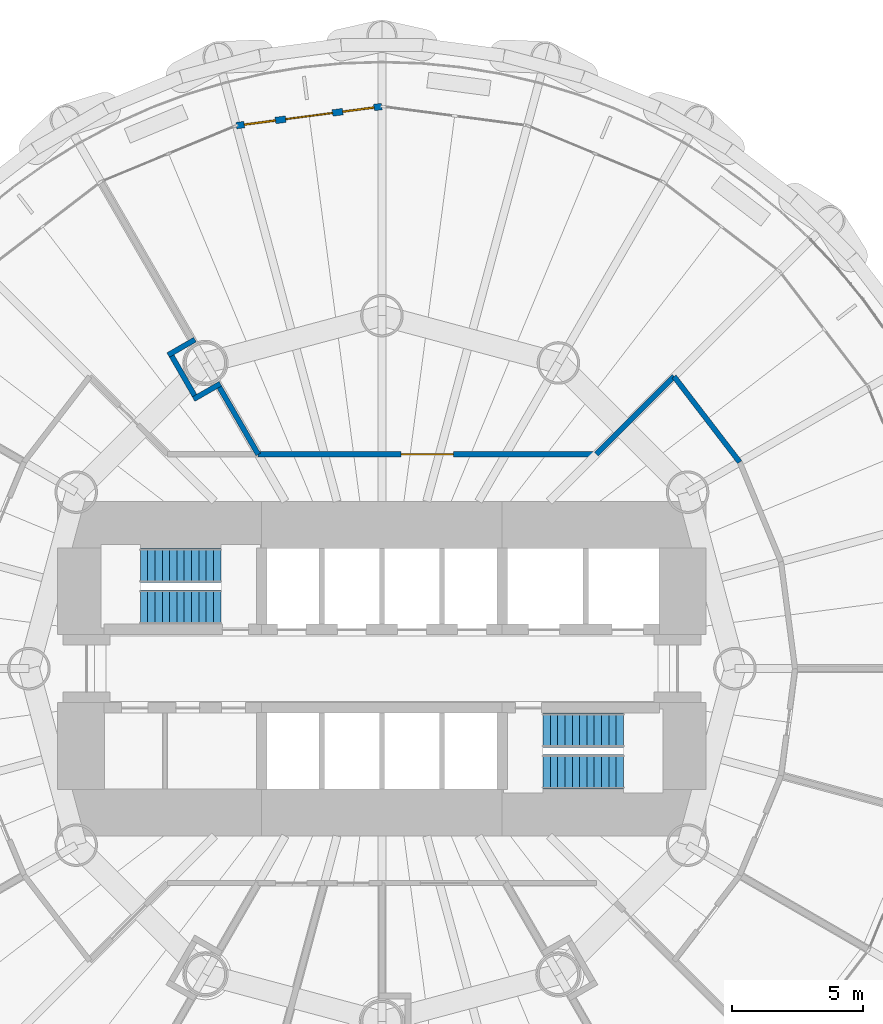
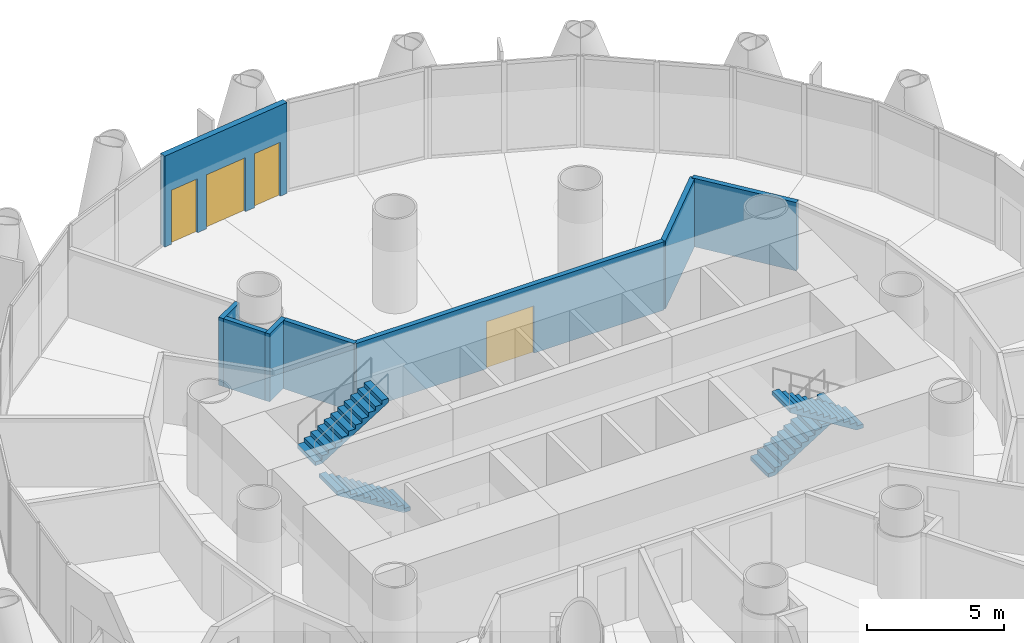
# One storey, part 12 of 16: 8 walls, 4 stair flights, 2 doors, 2 windows, 4 openings, 2 elements without a shape of their own.
"""IFC4 building model written with IfcOpenShell, lengths in metres."""

from ifc_helpers import new_model, si_unit, direction, frame, frame_2d, origin, place, context, subcontext, project, spatial, polyline, rectangle, outline, extrude, material, layer, layer_set, type_object, element, fill, aggregate, save


model = new_model("IFC4")

# Units and contexts
model_context = context("Model", 3, precision=1e-05, world=origin(), true_north=direction((0.0, 1.0)))
body_context = subcontext(model_context, "Body", "Model", "MODEL_VIEW")
ifc_project = project(units=[si_unit("LENGTHUNIT", "METRE"), si_unit("AREAUNIT", "SQUARE_METRE"), si_unit("VOLUMEUNIT", "CUBIC_METRE"), si_unit("PLANEANGLEUNIT", "RADIAN"), si_unit("MASSUNIT", "GRAM", prefix="KILO")], contexts=[model_context])

# Site, building, storey
site_placement = place(None, origin())
site = spatial("IfcSite", under=ifc_project, at=site_placement, CompositionType="ELEMENT")
building_placement = place(site_placement, origin())
building = spatial("IfcBuilding", under=site, at=building_placement, Name="Qaws Media Tower", CompositionType="ELEMENT")
storey_placement = place(building_placement, frame((0.0, 0.0, 38.60009765625)))
storey = spatial("IfcBuildingStorey", under=building, at=storey_placement, Name="L07", CompositionType="ELEMENT", Elevation=38.60009765625)

# Wall, openings, door, windows
ifc_material_1 = material(Name="Precast concrete, exposed finish", Category="concrete")
ifc_layer_1 = layer(ifc_material_1, 0.25)
ifc_layer_set_1 = layer_set([ifc_layer_1], Name="Balcony door wall 250")
wall_type_1 = type_object("IfcWallType", Name="Balcony door wall 250", PredefinedType="SOLIDWALL", material=ifc_layer_set_1)
wall_1_placement = place(storey_placement, frame((60.0, 71.5, 0.0), z_axis=(0.0, 0.0, 1.0), x_axis=(-0.991443484334, -0.130536651449, 0.0)))
wall_1 = element("IfcWall", 1, at=wall_1_placement, inside=storey, type_object=wall_type_1, Name="W119 EW1 balcony door wall L07-07", PredefinedType="SOLIDWALL", context=body_context, shape_type="SweptSolid", body=[
    extrude(rectangle(XDim=5.61279296875, YDim=0.25, at=frame_2d((2.806396484375, 0.0))), origin(), (0.0, 0.0, 1.0), 4.039794921875),
])
opening_1_placement = place(wall_1_placement, frame((1.90625, 0.0, 0.0)))
opening_1 = element("IfcOpeningElement", 2, at=opening_1_placement, cuts=wall_1, Name="Opening D7", PredefinedType="OPENING", context=body_context, shape_type="SweptSolid", body=[
    extrude(rectangle(XDim=1.800048828125, YDim=2.39990234375, at=frame_2d((0.89990234375, 1.199951171875))), frame((0.0, 0.135009765625, 0.0), z_axis=(0.0, -1.0, 0.0), x_axis=(1.0, 0.0, 0.0)), (0.0, 0.0, 1.0), 0.27001953125),
])
opening_2_placement = place(wall_1_placement, frame((0.306396484375, 0.0, 0.0)))
opening_2 = element("IfcOpeningElement", 3, at=opening_2_placement, cuts=wall_1, Name="Opening W1", PredefinedType="OPENING", context=body_context, shape_type="SweptSolid", body=[
    extrude(rectangle(XDim=1.199951171875, YDim=2.39990234375, at=frame_2d((0.60009765625, 1.199951171875))), frame((0.0, 0.135009765625, 0.0), z_axis=(0.0, -1.0, 0.0), x_axis=(1.0, 0.0, 0.0)), (0.0, 0.0, 1.0), 0.27001953125),
])
opening_3_placement = place(wall_1_placement, frame((4.106201171875, 0.0, 0.0)))
opening_3 = element("IfcOpeningElement", 4, at=opening_3_placement, cuts=wall_1, Name="Opening W1", PredefinedType="OPENING", context=body_context, shape_type="SweptSolid", body=[
    extrude(rectangle(XDim=1.199951171875, YDim=2.39990234375, at=frame_2d((0.60009765625, 1.199951171875))), frame((0.0, 0.135009765625, 0.0), z_axis=(0.0, -1.0, 0.0), x_axis=(1.0, 0.0, 0.0)), (0.0, 0.0, 1.0), 0.27001953125),
])
ifc_material_2 = material(Name="Aluminium and clear glass", Category="aluminium")
door_type_1 = type_object("IfcDoorType", Name="Balcony door pair 1800", OperationType="DOUBLE_DOOR_SLIDING", PredefinedType="DOOR", material=ifc_material_2)
door_1_placement = place(opening_1_placement, origin())
door_1 = element("IfcDoor", 5, at=door_1_placement, inside=storey, type_object=door_type_1, Name="D7 balcony door L07-07 in wall W119", OperationType="DOUBLE_DOOR_SLIDING", OverallHeight=2.39990234375, OverallWidth=1.800048828125, PredefinedType="DOOR", context=body_context, shape_type="SweptSolid", body=[
    extrude(rectangle(XDim=1.800048828125, YDim=2.39990234375, at=frame_2d((0.89990234375, 1.199951171875))), frame((0.0, 0.02490234375, 0.0), z_axis=(0.0, -1.0, 0.0), x_axis=(1.0, 0.0, 0.0)), (0.0, 0.0, 1.0), 0.050048828125),
])
fill(opening_1, door_1)
ifc_material_3 = material(Name="Aluminium and clear glass", Category="aluminium")
window_type = type_object("IfcWindowType", Name="Balcony side window 1200", PartitioningType="SINGLE_PANEL", PredefinedType="WINDOW", material=ifc_material_3)
window_1_placement = place(opening_2_placement, origin())
window_1 = element("IfcWindow", 6, at=window_1_placement, inside=storey, type_object=window_type, Name="W1 balcony side light L07-07L", OverallHeight=2.39990234375, OverallWidth=1.199951171875, PartitioningType="SINGLE_PANEL", PredefinedType="WINDOW", context=body_context, shape_type="SweptSolid", body=[
    extrude(rectangle(XDim=1.199951171875, YDim=2.39990234375, at=frame_2d((0.60009765625, 1.199951171875))), frame((0.0, 0.030029296875, 0.0), z_axis=(0.0, -1.0, 0.0), x_axis=(1.0, 0.0, 0.0)), (0.0, 0.0, 1.0), 0.06005859375),
])
fill(opening_2, window_1)
window_2_placement = place(opening_3_placement, origin())
window_2 = element("IfcWindow", 7, at=window_2_placement, inside=storey, type_object=window_type, Name="W1 balcony side light L07-07R", OverallHeight=2.39990234375, OverallWidth=1.199951171875, PartitioningType="SINGLE_PANEL", PredefinedType="WINDOW", context=body_context, shape_type="SweptSolid", body=[
    extrude(rectangle(XDim=1.199951171875, YDim=2.39990234375, at=frame_2d((0.60009765625, 1.199951171875))), frame((0.0, 0.030029296875, 0.0), z_axis=(0.0, -1.0, 0.0), x_axis=(1.0, 0.0, 0.0)), (0.0, 0.0, 1.0), 0.06005859375),
])
fill(opening_3, window_2)

# Wall, opening, door
ifc_material_4 = material(Name="Gypsum board on galvanised metal studs, acoustic double stud, deflection head", Category="gypsum")
ifc_layer_2 = layer(ifc_material_4, 0.199951171875)
ifc_layer_set_2 = layer_set([ifc_layer_2], Name="Room partition 200")
wall_type_2 = type_object("IfcWallType", Name="Room partition 200", PredefinedType="PARTITIONING", material=ifc_layer_set_2)
wall_2_placement = place(storey_placement, frame((55.265625, 58.199951171875, 0.0), z_axis=(0.0, 0.0, 1.0), x_axis=(1.0, 0.0, 0.0)))
wall_2 = element("IfcWall", 8, at=wall_2_placement, inside=storey, type_object=wall_type_2, Name="W969 IW3 partition L07", PredefinedType="PARTITIONING", context=body_context, shape_type="SweptSolid", body=[
    extrude(rectangle(XDim=12.934326171875, YDim=0.199951171875, at=frame_2d((6.46728515625, 0.0))), origin(), (0.0, 0.0, 1.0), 3.039794921875),
])
opening_4_placement = place(wall_2_placement, frame((5.467041015625, 0.0, 0.0)))
opening_4 = element("IfcOpeningElement", 9, at=opening_4_placement, cuts=wall_2, Name="Opening D6", PredefinedType="OPENING", context=body_context, shape_type="SweptSolid", body=[
    extrude(rectangle(XDim=2.0, YDim=2.10009765625, at=frame_2d((1.0, 1.050048828125))), frame((0.0, 0.10986328125, 0.0), z_axis=(0.0, -1.0, 0.0), x_axis=(1.0, 0.0, 0.0)), (0.0, 0.0, 1.0), 0.219970703125),
])
ifc_material_5 = material(Name="Steel, acoustic, fire rated", Category="steel")
door_type_2 = type_object("IfcDoorType", Name="Room door pair 2000", OperationType="DOUBLE_DOOR_DOUBLE_SWING", PredefinedType="DOOR", material=ifc_material_5)
door_2_placement = place(opening_4_placement, origin())
door_2 = element("IfcDoor", 10, at=door_2_placement, inside=storey, type_object=door_type_2, Name="D6 Production office door L07 in wall W969", OperationType="DOUBLE_DOOR_DOUBLE_SWING", OverallHeight=2.10009765625, OverallWidth=2.0, PredefinedType="DOOR", context=body_context, shape_type="SweptSolid", body=[
    extrude(rectangle(XDim=2.0, YDim=2.10009765625, at=frame_2d((1.0, 1.050048828125))), frame((0.0, 0.02490234375, 0.0), z_axis=(0.0, -1.0, 0.0), x_axis=(1.0, 0.0, 0.0)), (0.0, 0.0, 1.0), 0.050048828125),
])
fill(opening_4, door_2)

# Walls
wall_3_placement = place(storey_placement, frame((68.199951171875, 58.199951171875, 0.0), z_axis=(0.0, 0.0, 1.0), x_axis=(0.707106781187, 0.707106781187, 0.0)))
element("IfcWall", 11, at=wall_3_placement, inside=storey, type_object=wall_type_2, Name="W975 IW3 partition L07", PredefinedType="PARTITIONING", context=body_context, shape_type="SweptSolid", body=[
    extrude(rectangle(XDim=4.20361328125, YDim=0.199951171875, at=frame_2d((2.101806640625, 0.0))), origin(), (0.0, 0.0, 1.0), 3.02001953125),
])
wall_4_placement = place(storey_placement, frame((71.17236328125, 61.17236328125, 0.0), z_axis=(0.0, 0.0, 1.0), x_axis=(0.608714823874, -0.793389099494, 0.0)))
element("IfcWall", 12, at=wall_4_placement, inside=storey, type_object=wall_type_2, Name="W953 IW3 partition L07", PredefinedType="PARTITIONING", context=body_context, shape_type="SweptSolid", body=[
    extrude(rectangle(XDim=4.124755859375, YDim=0.199951171875, at=frame_2d((2.0625, 0.0))), origin(), (0.0, 0.0, 1.0), 3.039794921875),
])
for number, where, z_axis, x_axis, name in (
    (13, (53.822998046875, 60.898681640625, 0.0), (0.0, 0.0, 1.0), (-0.865986234303, -0.500067837396, 0.0), "W967 IW3 partition return L07"),
    (14, (52.85009765625, 62.583984375, 0.0), (0.0, 0.0, 1.0), (-0.865986234303, -0.500067837396, 0.0), "W966 IW3 partition return L07"),
):
    element("IfcWall", number, at=place(storey_placement, frame(where, z_axis=z_axis, x_axis=x_axis)), inside=storey, type_object=wall_type_2, Name=name, PredefinedType="PARTITIONING", context=body_context, shape_type="SweptSolid", body=[
        extrude(rectangle(XDim=1.182861328125, YDim=0.199951171875, at=frame_2d((0.59130859375, 0.0))), origin(), (0.0, 0.0, 1.0), 3.02001953125),
    ])
wall_5_placement = place(storey_placement, frame((52.835205078125, 60.44384765625, 0.0), z_axis=(0.0, 0.0, 1.0), x_axis=(-0.500049268192, 0.865996956912, 0.0)))
element("IfcWall", 15, at=wall_5_placement, inside=storey, type_object=wall_type_2, Name="W965 IW3 partition return L07", PredefinedType="PARTITIONING", context=body_context, shape_type="SweptSolid", body=[
    extrude(rectangle(XDim=1.745849609375, YDim=0.199951171875, at=frame_2d((0.873046875, 0.0))), origin(), (0.0, 0.0, 1.0), 3.02001953125),
])
wall_6_placement = place(storey_placement, frame((55.27001953125, 58.192626953125, 0.0), z_axis=(0.0, 0.0, 1.0), x_axis=(-0.499962256537, 0.866047193886, 0.0)))
element("IfcWall", 16, at=wall_6_placement, inside=storey, type_object=wall_type_2, Name="W970 IW3 partition L07", PredefinedType="PARTITIONING", context=body_context, shape_type="SweptSolid", body=[
    extrude(rectangle(XDim=2.967041015625, YDim=0.199951171875, at=frame_2d((1.4833984375, 0.0))), origin(), (0.0, 0.0, 1.0), 3.039794921875),
])

# Stair, stair flights
ifc_material_6 = material(Name="Concrete C40/50", Category="concrete")
stair_type = type_object("IfcStairType", Name="Exit stair", PredefinedType="HALF_TURN_STAIR", material=ifc_material_6)
stair_1_placement = place(storey_placement, origin())
stair_1 = element("IfcStair", 17, at=stair_1_placement, inside=storey, type_object=stair_type, Name="S1 exit stair L07", PredefinedType="HALF_TURN_STAIR")
ifc_material_7 = material(Name="Concrete C40/50", Category="concrete")
stair_flight_type = type_object("IfcStairFlightType", Name="Stair flight 1310", PredefinedType="STRAIGHT", material=ifc_material_7)
stair_flight_1_placement = place(storey_placement, frame((53.840087890625, 52.35498046875, 0.0), z_axis=(0.0, 0.0, 1.0), x_axis=(-1.0, 0.0, 0.0)))
stair_flight_1 = element("IfcStairFlight", 18, at=stair_flight_1_placement, type_object=stair_flight_type, Name="S1 flight 1", NumberOfRisers=12, NumberOfTreads=11, PredefinedType="STRAIGHT", RiserHeight=0.175, TreadLength=0.28, context=body_context, shape_type="SweptSolid", body=[
    extrude(outline(polyline([(0.0, 0.0), (0.0, 0.175048828125), (0.280029296875, 0.175048828125), (0.280029296875, 0.35009765625), (0.56005859375, 0.35009765625), (0.56005859375, 0.52490234375), (0.840087890625, 0.52490234375), (0.840087890625, 0.699951171875), (1.1201171875, 0.699951171875), (1.1201171875, 0.875), (1.39990234375, 0.875), (1.39990234375, 1.050048828125), (1.679931640625, 1.050048828125), (1.679931640625, 1.22509765625), (1.9599609375, 1.22509765625), (1.9599609375, 1.39990234375), (2.239990234375, 1.39990234375), (2.239990234375, 1.574951171875), (2.52001953125, 1.574951171875), (2.52001953125, 1.75), (2.800048828125, 1.75), (2.800048828125, 1.925048828125), (3.080078125, 1.925048828125), (3.080078125, 2.10009765625), (3.080078125, 1.748291015625), (0.28271484375, 0.0), (0.0, 0.0)])), frame((0.0, 0.655029296875, 0.0), z_axis=(0.0, -1.0, 0.0), x_axis=(1.0, 0.0, 0.0)), (0.0, 0.0, 1.0), 1.31005859375),
])
stair_flight_2_placement = place(storey_placement, frame((50.760009765625, 53.945068359375, 2.099853515625), z_axis=(0.0, 0.0, 1.0), x_axis=(1.0, 0.0, 0.0)))
stair_flight_2 = element("IfcStairFlight", 19, at=stair_flight_2_placement, type_object=stair_flight_type, Name="S1 flight 2", NumberOfRisers=12, NumberOfTreads=11, PredefinedType="STRAIGHT", RiserHeight=0.175, TreadLength=0.28, context=body_context, shape_type="SweptSolid", body=[
    extrude(outline(polyline([(0.0, 0.0), (0.0, 0.175048828125), (0.280029296875, 0.175048828125), (0.280029296875, 0.35009765625), (0.56005859375, 0.35009765625), (0.56005859375, 0.52490234375), (0.840087890625, 0.52490234375), (0.840087890625, 0.699951171875), (1.1201171875, 0.699951171875), (1.1201171875, 0.875), (1.39990234375, 0.875), (1.39990234375, 1.050048828125), (1.679931640625, 1.050048828125), (1.679931640625, 1.22509765625), (1.9599609375, 1.22509765625), (1.9599609375, 1.39990234375), (2.239990234375, 1.39990234375), (2.239990234375, 1.574951171875), (2.52001953125, 1.574951171875), (2.52001953125, 1.75), (2.800048828125, 1.75), (2.800048828125, 1.925048828125), (3.080078125, 1.925048828125), (3.080078125, 2.10009765625), (3.080078125, 1.748291015625), (0.28271484375, 0.0), (0.0, 0.0)])), frame((0.0, 0.655029296875, 0.0), z_axis=(0.0, -1.0, 0.0), x_axis=(1.0, 0.0, 0.0)), (0.0, 0.0, 1.0), 1.31005859375),
])
aggregate(stair_1, [stair_flight_1, stair_flight_2])

stair_2_placement = place(storey_placement, origin())
stair_2 = element("IfcStair", 20, at=stair_2_placement, inside=storey, type_object=stair_type, Name="S2 exit stair L07", PredefinedType="HALF_TURN_STAIR")
stair_flight_3_placement = place(storey_placement, frame((66.159912109375, 47.64501953125, 0.0), z_axis=(0.0, 0.0, 1.0), x_axis=(1.0, 0.0, 0.0)))
stair_flight_3 = element("IfcStairFlight", 21, at=stair_flight_3_placement, type_object=stair_flight_type, Name="S2 flight 1", NumberOfRisers=12, NumberOfTreads=11, PredefinedType="STRAIGHT", RiserHeight=0.175, TreadLength=0.28, context=body_context, shape_type="SweptSolid", body=[
    extrude(outline(polyline([(0.0, 0.0), (0.0, 0.175048828125), (0.280029296875, 0.175048828125), (0.280029296875, 0.35009765625), (0.56005859375, 0.35009765625), (0.56005859375, 0.52490234375), (0.840087890625, 0.52490234375), (0.840087890625, 0.699951171875), (1.1201171875, 0.699951171875), (1.1201171875, 0.875), (1.39990234375, 0.875), (1.39990234375, 1.050048828125), (1.679931640625, 1.050048828125), (1.679931640625, 1.22509765625), (1.9599609375, 1.22509765625), (1.9599609375, 1.39990234375), (2.239990234375, 1.39990234375), (2.239990234375, 1.574951171875), (2.52001953125, 1.574951171875), (2.52001953125, 1.75), (2.800048828125, 1.75), (2.800048828125, 1.925048828125), (3.080078125, 1.925048828125), (3.080078125, 2.10009765625), (3.080078125, 1.748291015625), (0.28271484375, 0.0), (0.0, 0.0)])), frame((0.0, 0.655029296875, 0.0), z_axis=(0.0, -1.0, 0.0), x_axis=(1.0, 0.0, 0.0)), (0.0, 0.0, 1.0), 1.31005859375),
])
stair_flight_4_placement = place(storey_placement, frame((69.239990234375, 46.054931640625, 2.099853515625), z_axis=(0.0, 0.0, 1.0), x_axis=(-1.0, 0.0, 0.0)))
stair_flight_4 = element("IfcStairFlight", 22, at=stair_flight_4_placement, type_object=stair_flight_type, Name="S2 flight 2", NumberOfRisers=12, NumberOfTreads=11, PredefinedType="STRAIGHT", RiserHeight=0.175, TreadLength=0.28, context=body_context, shape_type="SweptSolid", body=[
    extrude(outline(polyline([(0.0, 0.0), (0.0, 0.175048828125), (0.280029296875, 0.175048828125), (0.280029296875, 0.35009765625), (0.56005859375, 0.35009765625), (0.56005859375, 0.52490234375), (0.840087890625, 0.52490234375), (0.840087890625, 0.699951171875), (1.1201171875, 0.699951171875), (1.1201171875, 0.875), (1.39990234375, 0.875), (1.39990234375, 1.050048828125), (1.679931640625, 1.050048828125), (1.679931640625, 1.22509765625), (1.9599609375, 1.22509765625), (1.9599609375, 1.39990234375), (2.239990234375, 1.39990234375), (2.239990234375, 1.574951171875), (2.52001953125, 1.574951171875), (2.52001953125, 1.75), (2.800048828125, 1.75), (2.800048828125, 1.925048828125), (3.080078125, 1.925048828125), (3.080078125, 2.10009765625), (3.080078125, 1.748291015625), (0.28271484375, 0.0), (0.0, 0.0)])), frame((0.0, 0.655029296875, 0.0), z_axis=(0.0, -1.0, 0.0), x_axis=(1.0, 0.0, 0.0)), (0.0, 0.0, 1.0), 1.31005859375),
])
aggregate(stair_2, [stair_flight_3, stair_flight_4])

save(model, "model.ifc")
